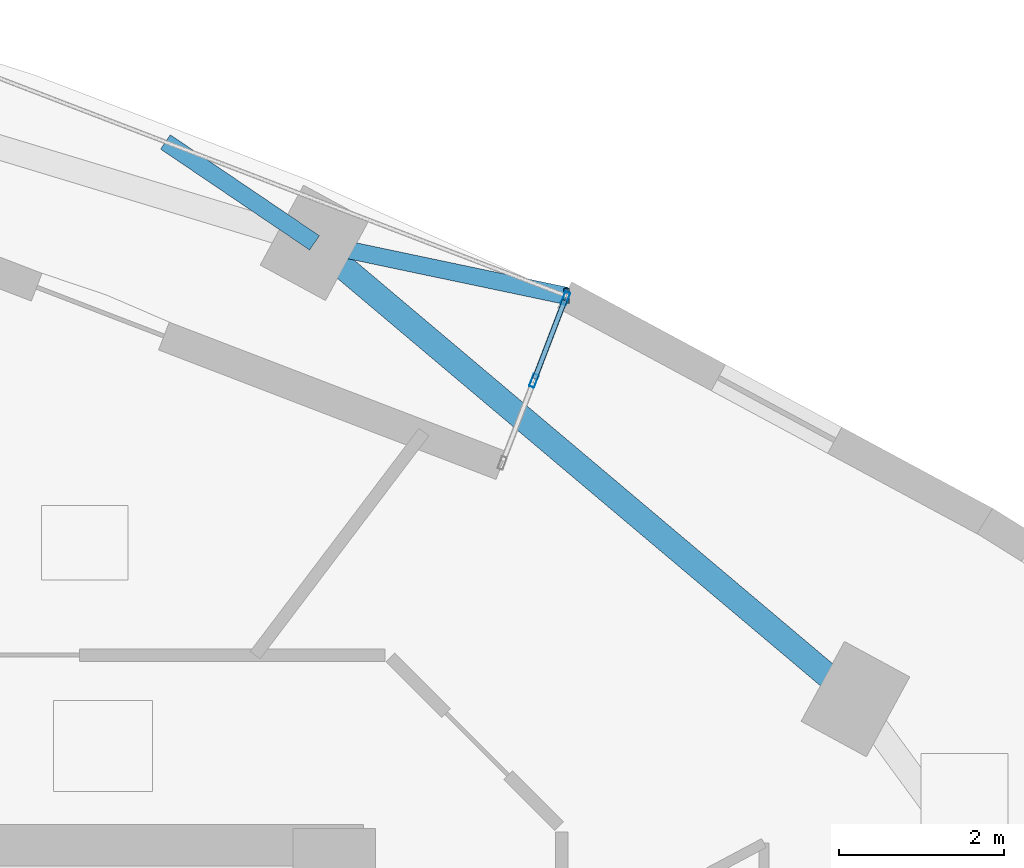
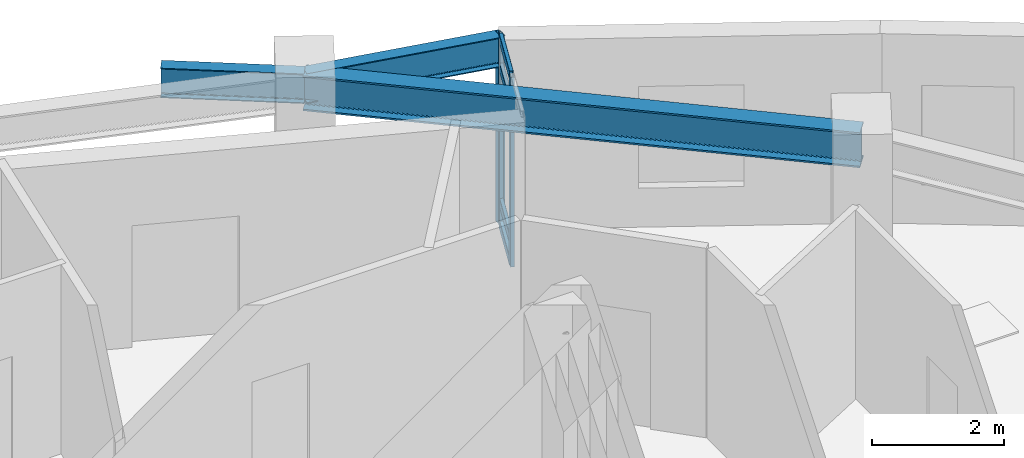
# One storey, part 3 of 12: 7 members, 3 beams, 1 element without a shape of its own.
"""IFC4 building model written with IfcOpenShell, lengths in metres."""

from ifc_helpers import new_model, si_unit, direction, frame, origin, origin_2d, place, context, subcontext, project, spatial, hollow_rectangle, i_section, extrude, material, layer, layer_set, material_profile, profile_set, type_object, element, aggregate, save


model = new_model("IFC4")

# Units and contexts
model_context = context("Model", 3, precision=1e-05, world=origin(), true_north=direction((0.0, 1.0)))
body_context = subcontext(model_context, "Body", "Model", "MODEL_VIEW")
ifc_project = project(units=[si_unit("LENGTHUNIT", "METRE"), si_unit("AREAUNIT", "SQUARE_METRE"), si_unit("VOLUMEUNIT", "CUBIC_METRE"), si_unit("PLANEANGLEUNIT", "RADIAN"), si_unit("MASSUNIT", "GRAM", prefix="KILO")], contexts=[model_context])

# Site, building, storey
site_placement = place(None, origin())
site = spatial("IfcSite", under=ifc_project, at=site_placement, CompositionType="ELEMENT")
building_placement = place(site_placement, origin())
building = spatial("IfcBuilding", under=site, at=building_placement, Name="Ndelora Gate Hotel", CompositionType="ELEMENT")
storey_placement = place(building_placement, frame((0.0, 0.0, 153.5)))
storey = spatial("IfcBuildingStorey", under=building, at=storey_placement, Name="L38", CompositionType="ELEMENT", Elevation=153.5)

# Beams
ifc_material_1 = material(Name="Steel S355", Category="steel")
ifc_material_profile_1 = material_profile(ifc_material_1, i_section(OverallWidth=0.2099609375, OverallDepth=0.550048828125, WebThickness=0.010986328125, FlangeThickness=0.01708984375, FilletRadius=0.02392578125, at=origin_2d()), Name="IPE 550")
ifc_profile_set_1 = profile_set([ifc_material_profile_1], Name="Steel S355")
beam_type_1 = type_object("IfcBeamType", Name="BM-RAD-550", PredefinedType="BEAM", material=ifc_profile_set_1)
beam_1_placement = place(storey_placement, frame((7.759033203125, 14.290283203125, 3.22509765625), z_axis=(0.978567234145, -0.20592758013, 0.0), x_axis=(0.20592758013, 0.978567234145, 0.0)))
element("IfcBeam", 1, at=beam_1_placement, inside=storey, type_object=beam_type_1, Name="L38 Sky-Garden Loggia Column Bracket 1", PredefinedType="BEAM", context=body_context, shape_type="SweptSolid", body=[
    extrude(i_section(OverallWidth=0.2099609375, OverallDepth=0.550048828125, WebThickness=0.010986328125, FlangeThickness=0.01708984375, FilletRadius=0.02392578125, at=origin_2d()), origin(), (0.0, 0.0, 1.0), 3.116943359375),
])
beam_2_placement = place(storey_placement, frame((7.759033203125, 14.290283203125, 3.22509765625), z_axis=(-0.828064662008, 0.560632602988, 0.0), x_axis=(-0.560632602988, -0.828064662008, 0.0)))
element("IfcBeam", 2, at=beam_2_placement, inside=storey, type_object=beam_type_1, Name="L38 Sky-Garden Loggia Column Bracket 2", PredefinedType="BEAM", context=body_context, shape_type="SweptSolid", body=[
    extrude(i_section(OverallWidth=0.2099609375, OverallDepth=0.550048828125, WebThickness=0.010986328125, FlangeThickness=0.01708984375, FilletRadius=0.02392578125, at=origin_2d()), origin(), (0.0, 0.0, 1.0), 2.17919921875),
])
ifc_material_profile_2 = material_profile(ifc_material_1, i_section(OverallWidth=0.300048828125, OverallDepth=0.64990234375, WebThickness=0.01611328125, FlangeThickness=0.031005859375, FilletRadius=0.027099609375, at=origin_2d()), Name="HEB 650")
ifc_profile_set_2 = profile_set([ifc_material_profile_2], Name="Steel S355")
beam_type_2 = type_object("IfcBeamType", Name="BM-RING-650", PredefinedType="SPANDREL", material=ifc_profile_set_2)
beam_3_placement = place(storey_placement, frame((14.30712890625, 8.767333984375, 3.175048828125), z_axis=(-0.76440691948, 0.644734101356, 0.0), x_axis=(-0.644734101356, -0.76440691948, 0.0)))
element("IfcBeam", 3, at=beam_3_placement, inside=storey, type_object=beam_type_2, Name="L38 Perimeter Spandrel Girder 10", PredefinedType="SPANDREL", context=body_context, shape_type="SweptSolid", body=[
    extrude(i_section(OverallWidth=0.300048828125, OverallDepth=0.64990234375, WebThickness=0.01611328125, FlangeThickness=0.031005859375, FilletRadius=0.027099609375, at=origin_2d()), origin(), (0.0, 0.0, 1.0), 8.566162109375),
])

# Curtain wall, members
ifc_material_2 = material(Name="Bronze Anodised Unitised Aluminium and Low-E Glass", Category="aluminium")
ifc_layer = layer(ifc_material_2, 0.199951171875)
ifc_layer_set = layer_set([ifc_layer], Name="Bronze Anodised Unitised Aluminium and Low-E Glass")
curtain_wall_type = type_object("IfcCurtainWallType", Name="CW-SYS-3", PredefinedType="NOTDEFINED", material=ifc_layer_set)
curtain_wall_placement = place(storey_placement, origin())
curtain_wall = element("IfcCurtainWall", 4, at=curtain_wall_placement, inside=storey, type_object=curtain_wall_type, Name="L38 Sky-Garden Loggia Side Curtain Wall CW3-1", PredefinedType="NOTDEFINED")
ifc_material_3 = material(Name="Bronze Anodised Aluminium 6063-T6", Category="aluminium")
ifc_material_profile_3 = material_profile(ifc_material_3, hollow_rectangle(XDim=0.06494140625, YDim=0.159912109375, WallThickness=0.00390625, InnerFilletRadius=0.00390625, OuterFilletRadius=0.008056640625, at=origin_2d()), Name="ALU 160x65x4")
ifc_profile_set_3 = profile_set([ifc_material_profile_3], Name="Bronze Anodised Aluminium 6063-T6")
member_type_1 = type_object("IfcMemberType", Name="MB-CW-MUL150", PredefinedType="MULLION", material=ifc_profile_set_3)
member_1_placement = place(storey_placement, frame((10.414794921875, 12.62158203125, -0.00390625), z_axis=(0.0, 0.0, 1.0), x_axis=(-0.93358321574, 0.358360683234, 0.0)))
member_1 = element("IfcMember", 5, at=member_1_placement, type_object=member_type_1, Name="CW3 mullion 2", PredefinedType="MULLION", context=body_context, shape_type="SweptSolid", body=[
    extrude(hollow_rectangle(XDim=0.06494140625, YDim=0.159912109375, WallThickness=0.00390625, InnerFilletRadius=0.00390625, OuterFilletRadius=0.008056640625, at=origin_2d()), origin(), (0.0, 0.0, 1.0), 3.5078125),
])
member_2_placement = place(storey_placement, frame((10.79736328125, 13.6181640625, -0.00390625), z_axis=(0.0, 0.0, 1.0), x_axis=(-0.93358321574, 0.358360683234, 0.0)))
member_2 = element("IfcMember", 6, at=member_2_placement, type_object=member_type_1, Name="CW3 mullion 3", PredefinedType="MULLION", context=body_context, shape_type="SweptSolid", body=[
    extrude(hollow_rectangle(XDim=0.06494140625, YDim=0.159912109375, WallThickness=0.00390625, InnerFilletRadius=0.00390625, OuterFilletRadius=0.008056640625, at=origin_2d()), origin(), (0.0, 0.0, 1.0), 3.5078125),
])
ifc_material_profile_4 = material_profile(ifc_material_3, hollow_rectangle(XDim=0.070068359375, YDim=0.179931640625, WallThickness=0.0048828125, InnerFilletRadius=0.0048828125, OuterFilletRadius=0.010009765625, at=origin_2d()), Name="ALU 180x70x5")
ifc_profile_set_4 = profile_set([ifc_material_profile_4], Name="Bronze Anodised Aluminium 6063-T6")
member_type_2 = type_object("IfcMemberType", Name="MB-CW-MUL180", PredefinedType="MULLION", material=ifc_profile_set_4)
member_3_placement = place(storey_placement, frame((10.80908203125, 13.6484375, 0.0), z_axis=(0.0, 0.0, 1.0), x_axis=(1.0, 0.0, 0.0)))
member_3 = element("IfcMember", 7, at=member_3_placement, type_object=member_type_2, Name="L38 Sky-Garden Loggia Corner Mullion Post 1", PredefinedType="MULLION", context=body_context, shape_type="SweptSolid", body=[
    extrude(hollow_rectangle(XDim=0.070068359375, YDim=0.179931640625, WallThickness=0.0048828125, InnerFilletRadius=0.0048828125, OuterFilletRadius=0.010009765625, at=origin_2d()), origin(), (0.0, 0.0, 1.0), 3.5),
])
ifc_material_profile_5 = material_profile(ifc_material_3, hollow_rectangle(XDim=0.06494140625, YDim=0.159912109375, WallThickness=0.00390625, InnerFilletRadius=0.00390625, OuterFilletRadius=0.008056640625, at=origin_2d()), Name="ALU 160x65x4")
ifc_profile_set_5 = profile_set([ifc_material_profile_5], Name="Bronze Anodised Aluminium 6063-T6")
member_type_3 = type_object("IfcMemberType", Name="MB-CW-TRN150", PredefinedType="USERDEFINED", material=ifc_profile_set_5)
member_4_placement = place(storey_placement, frame((10.42431640625, 12.646240234375, 0.032470703125), z_axis=(0.358285642609, 0.933612017007, 0.0), x_axis=(-0.933612017007, 0.358285642609, 0.0)))
member_4 = element("IfcMember", 8, at=member_4_placement, type_object=member_type_3, Name="CW3 transom 2.1", ObjectType="TRANSOM", PredefinedType="USERDEFINED", context=body_context, shape_type="SweptSolid", body=[
    extrude(hollow_rectangle(XDim=0.06494140625, YDim=0.159912109375, WallThickness=0.00390625, InnerFilletRadius=0.00390625, OuterFilletRadius=0.008056640625, at=origin_2d()), origin(), (0.0, 0.0, 1.0), 1.0146484375),
])
member_5_placement = place(storey_placement, frame((10.42431640625, 12.646240234375, 0.449951171875), z_axis=(0.358285642609, 0.933612017007, 0.0), x_axis=(-0.933612017007, 0.358285642609, 0.0)))
member_5 = element("IfcMember", 9, at=member_5_placement, type_object=member_type_3, Name="CW3 transom 2.2", ObjectType="TRANSOM", PredefinedType="USERDEFINED", context=body_context, shape_type="SweptSolid", body=[
    extrude(hollow_rectangle(XDim=0.06494140625, YDim=0.159912109375, WallThickness=0.00390625, InnerFilletRadius=0.00390625, OuterFilletRadius=0.008056640625, at=origin_2d()), origin(), (0.0, 0.0, 1.0), 1.0146484375),
])
member_6_placement = place(storey_placement, frame((10.42431640625, 12.646240234375, 2.949951171875), z_axis=(0.358285642609, 0.933612017007, 0.0), x_axis=(-0.933612017007, 0.358285642609, 0.0)))
member_6 = element("IfcMember", 10, at=member_6_placement, type_object=member_type_3, Name="CW3 transom 2.3", ObjectType="TRANSOM", PredefinedType="USERDEFINED", context=body_context, shape_type="SweptSolid", body=[
    extrude(hollow_rectangle(XDim=0.06494140625, YDim=0.159912109375, WallThickness=0.00390625, InnerFilletRadius=0.00390625, OuterFilletRadius=0.008056640625, at=origin_2d()), origin(), (0.0, 0.0, 1.0), 1.0146484375),
])
member_7_placement = place(storey_placement, frame((10.42431640625, 12.646240234375, 3.467529296875), z_axis=(0.358285642609, 0.933612017007, 0.0), x_axis=(-0.933612017007, 0.358285642609, 0.0)))
member_7 = element("IfcMember", 11, at=member_7_placement, type_object=member_type_3, Name="CW3 transom 2.4", ObjectType="TRANSOM", PredefinedType="USERDEFINED", context=body_context, shape_type="SweptSolid", body=[
    extrude(hollow_rectangle(XDim=0.06494140625, YDim=0.159912109375, WallThickness=0.00390625, InnerFilletRadius=0.00390625, OuterFilletRadius=0.008056640625, at=origin_2d()), origin(), (0.0, 0.0, 1.0), 1.0146484375),
])
aggregate(curtain_wall, [member_1, member_2, member_4, member_5, member_6, member_7, member_3])

save(model, "model.ifc")
